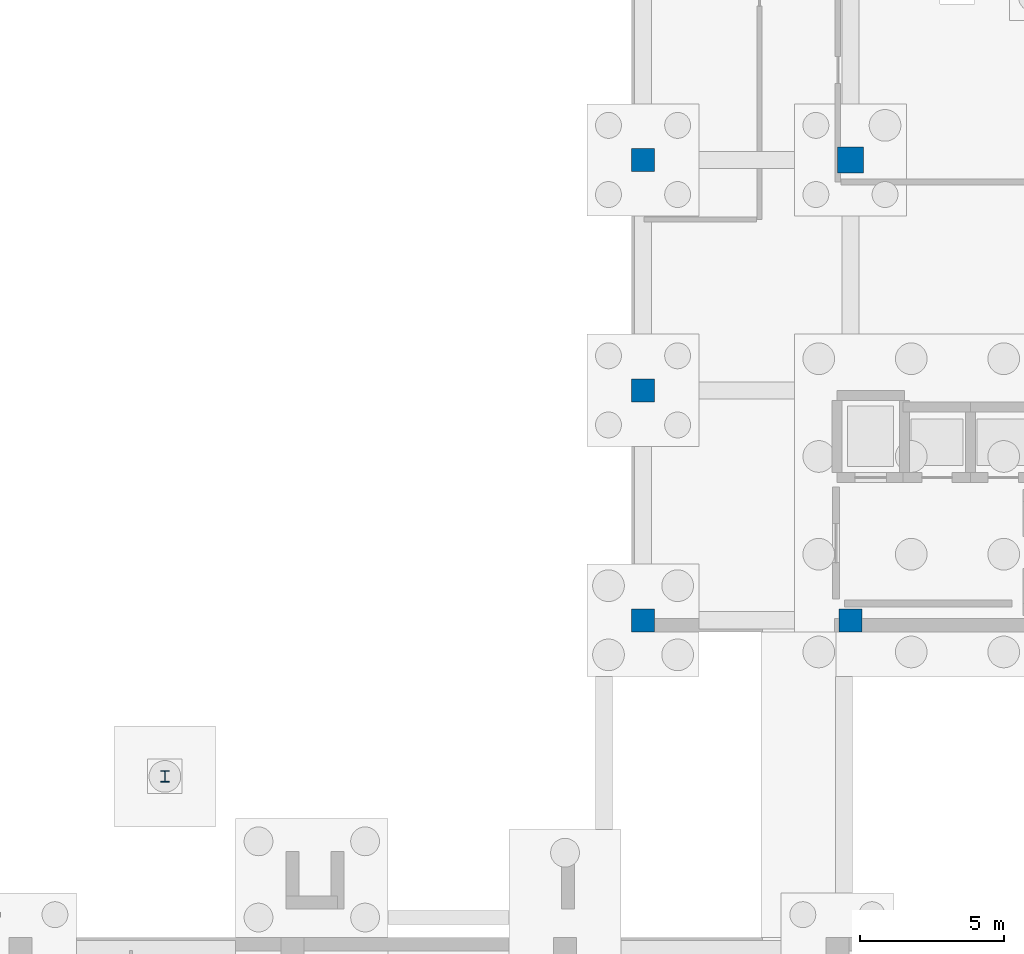
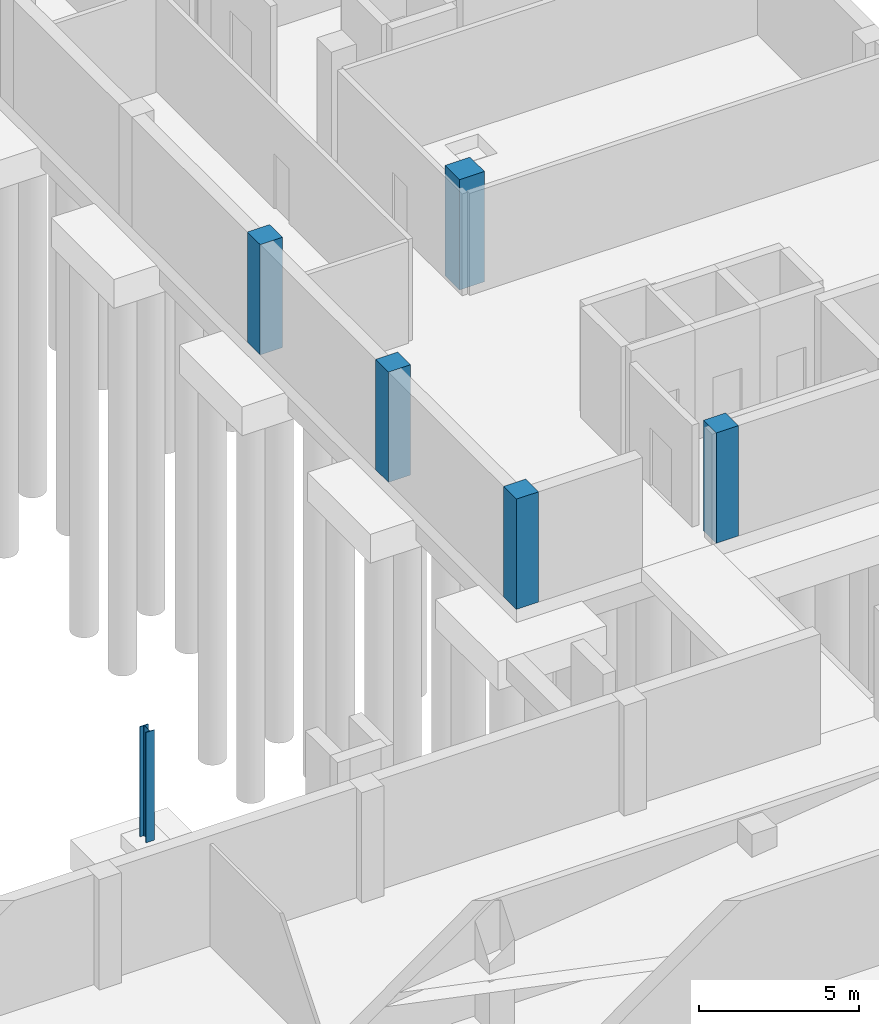
# One storey, part 13 of 31: 6 columns.
"""IFC4 building model written with IfcOpenShell, lengths in metres."""

from ifc_helpers import new_model, si_unit, direction, frame, origin, origin_2d, place, context, subcontext, project, spatial, rectangle, i_section, extrude, material, material_profile, profile_set, type_object, element, save


model = new_model("IFC4")

# Units and contexts
model_context = context("Model", 3, precision=1e-05, world=origin(), true_north=direction((0.0, 1.0)))
body_context = subcontext(model_context, "Body", "Model", "MODEL_VIEW")
ifc_project = project(units=[si_unit("LENGTHUNIT", "METRE"), si_unit("AREAUNIT", "SQUARE_METRE"), si_unit("VOLUMEUNIT", "CUBIC_METRE"), si_unit("PLANEANGLEUNIT", "RADIAN"), si_unit("MASSUNIT", "GRAM", prefix="KILO")], contexts=[model_context])

# Site, building, storey
site_placement = place(None, origin())
site = spatial("IfcSite", under=ifc_project, at=site_placement, CompositionType="ELEMENT")
building_placement = place(site_placement, origin())
building = spatial("IfcBuilding", under=site, at=building_placement, Name="Qalavern Law Courts", CompositionType="ELEMENT")
storey_placement = place(building_placement, frame((0.0, 0.0, -8.39990234375)))
storey = spatial("IfcBuildingStorey", under=building, at=storey_placement, Name="B2", CompositionType="ELEMENT", Elevation=-8.39990234375)

# Columns
ifc_material_1 = material(Name="Steel S355", Category="steel")
ifc_material_profile_1 = material_profile(ifc_material_1, i_section(OverallWidth=0.300048828125, OverallDepth=0.389892578125, WebThickness=0.010986328125, FlangeThickness=0.01904296875, FilletRadius=0.027099609375, at=origin_2d()), Name="HEA 400")
ifc_profile_set_1 = profile_set([ifc_material_profile_1], Name="Steel S355")
column_type_1 = type_object("IfcColumnType", Name="STR-COL-HEA400", PredefinedType="COLUMN", material=ifc_profile_set_1)
column_1_placement = place(storey_placement, frame((68.0, 36.0, 0.0), z_axis=(0.0, 0.0, 1.0), x_axis=(1.0, 0.0, 0.0)))
element("IfcColumn", 1, at=column_1_placement, inside=storey, type_object=column_type_1, Name="Plaza apron substructure column 07 B2", PredefinedType="COLUMN", context=body_context, shape_type="SweptSolid", body=[
    extrude(i_section(OverallWidth=0.300048828125, OverallDepth=0.389892578125, WebThickness=0.010986328125, FlangeThickness=0.01904296875, FilletRadius=0.027099609375, at=origin_2d()), origin(), (0.0, 0.0, 1.0), 4.199951171875),
])
ifc_material_2 = material(Name="Concrete C45/55", Category="concrete")
ifc_material_profile_2 = material_profile(ifc_material_2, rectangle(XDim=0.800048828125, YDim=0.800048828125, at=origin_2d()), Name="RC 800x800")
ifc_profile_set_2 = profile_set([ifc_material_profile_2], Name="Concrete C45/55")
column_type_2 = type_object("IfcColumnType", Name="STR-COL-RC800E", PredefinedType="COLUMN", material=ifc_profile_set_2)
for number, where, z_axis, x_axis, name in (
    (2, (84.60009765625, 41.419921875, 0.0), (0.0, 0.0, 1.0), (1.0, 0.0, 0.0), "V4 column 1-1 B2"),
    (3, (84.60009765625, 49.39990234375, 0.0), (0.0, 0.0, 1.0), (1.0, 0.0, 0.0), "V4 column 1-2 B2"),
    (4, (84.60009765625, 57.39990234375, 0.0), (0.0, 0.0, 1.0), (1.0, 0.0, 0.0), "V4 column 1-3 B2"),
    (5, (91.800048828125, 41.419921875, 0.0), (0.0, 0.0, 1.0), (1.0, 0.0, 0.0), "V4 column 2-1 B2"),
):
    element("IfcColumn", number, at=place(storey_placement, frame(where, z_axis=z_axis, x_axis=x_axis)), inside=storey, type_object=column_type_2, Name=name, PredefinedType="COLUMN", context=body_context, shape_type="SweptSolid", body=[
        extrude(rectangle(XDim=0.800048828125, YDim=0.800048828125, at=origin_2d()), origin(), (0.0, 0.0, 1.0), 4.199951171875),
    ])
ifc_material_profile_3 = material_profile(ifc_material_2, rectangle(XDim=0.89990234375, YDim=0.89990234375, at=origin_2d()), Name="RC 900x900")
ifc_profile_set_3 = profile_set([ifc_material_profile_3], Name="Concrete C45/55")
column_type_3 = type_object("IfcColumnType", Name="STR-COL-RC900", PredefinedType="COLUMN", material=ifc_profile_set_3)
column_2_placement = place(storey_placement, frame((91.800048828125, 57.39990234375, 0.0), z_axis=(0.0, 0.0, 1.0), x_axis=(1.0, 0.0, 0.0)))
element("IfcColumn", 6, at=column_2_placement, inside=storey, type_object=column_type_3, Name="V4 column 2-3 B2", PredefinedType="COLUMN", context=body_context, shape_type="SweptSolid", body=[
    extrude(rectangle(XDim=0.89990234375, YDim=0.89990234375, at=origin_2d()), origin(), (0.0, 0.0, 1.0), 4.199951171875),
])

save(model, "model.ifc")
